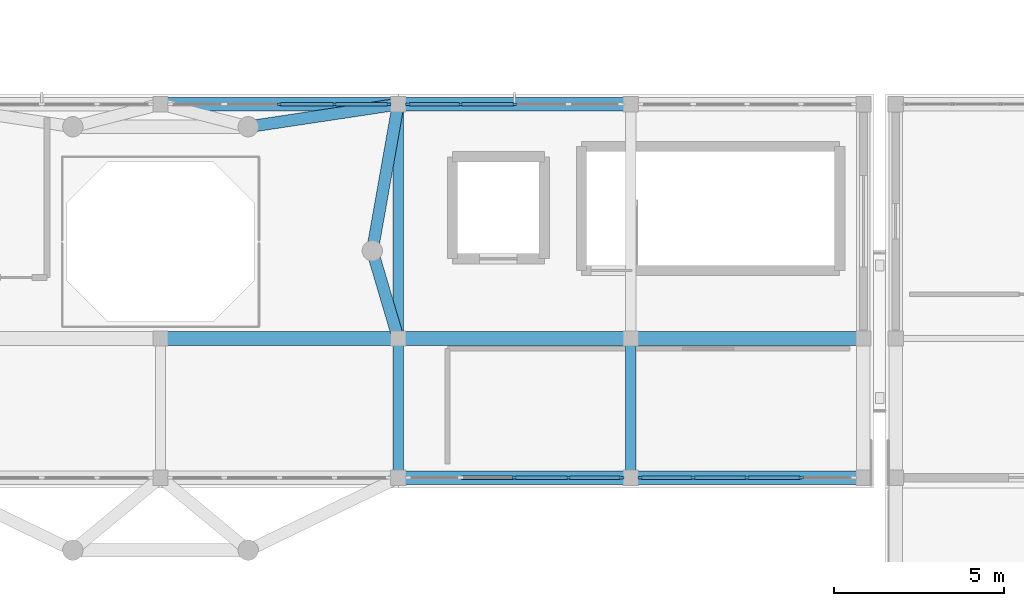
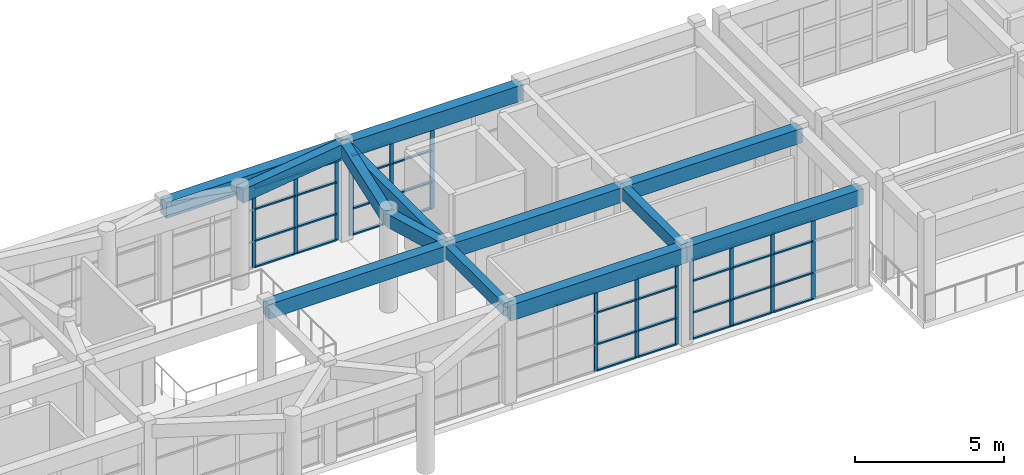
# One storey, part 7 of 66: 50 members, 13 beams, 4 elements without a shape of their own.
"""IFC4 building model written with IfcOpenShell, lengths in metres."""

from ifc_helpers import new_model, si_unit, direction, frame, origin, origin_2d, place, context, subcontext, project, spatial, rectangle, extrude, material, layer, layer_set, material_profile, profile_set, type_object, element, aggregate, save


model = new_model("IFC4")

# Units and contexts
model_context = context("Model", 3, precision=1e-05, world=origin(), true_north=direction((0.0, 1.0)))
body_context = subcontext(model_context, "Body", "Model", "MODEL_VIEW")
ifc_project = project(units=[si_unit("LENGTHUNIT", "METRE"), si_unit("AREAUNIT", "SQUARE_METRE"), si_unit("VOLUMEUNIT", "CUBIC_METRE"), si_unit("PLANEANGLEUNIT", "RADIAN"), si_unit("MASSUNIT", "GRAM", prefix="KILO")], contexts=[model_context])

# Site, building, storey
site_placement = place(None, origin())
site = spatial("IfcSite", under=ifc_project, at=site_placement, CompositionType="ELEMENT")
building_placement = place(site_placement, origin())
building = spatial("IfcBuilding", under=site, at=building_placement, Name="Candilejo Ridge Gondola Terminal", CompositionType="ELEMENT")
storey_placement = place(building_placement, frame((0.0, 0.0, 14.39990234375)))
storey = spatial("IfcBuildingStorey", under=building, at=storey_placement, Name="L03", CompositionType="ELEMENT", Elevation=14.39990234375)

# Curtain wall, members
ifc_material_1 = material(Name="Anodised aluminium AA 6063-T6", Category="aluminium")
ifc_layer_1 = layer(ifc_material_1, 0.169921875)
ifc_layer_set_1 = layer_set([ifc_layer_1], Name="ARC-CW-DRUM-3400-650X329")
curtain_wall_type_1 = type_object("IfcCurtainWallType", Name="ARC-CW-DRUM-3400-650X329", PredefinedType="NOTDEFINED", material=ifc_layer_set_1)
curtain_wall_1_placement = place(storey_placement, origin())
curtain_wall_1 = element("IfcCurtainWall", 1, at=curtain_wall_1_placement, inside=storey, type_object=curtain_wall_type_1, Name="Curtain wall V2 L03-064", PredefinedType="NOTDEFINED")
ifc_material_2 = material(Name="Anodised aluminium AA 6063-T6", Category="aluminium")
ifc_material_profile_1 = material_profile(ifc_material_2, rectangle(XDim=0.06494140625, YDim=0.14990234375, at=origin_2d()))
ifc_profile_set_1 = profile_set([ifc_material_profile_1], Name="Anodised aluminium AA 6063-T6")
member_type_1 = type_object("IfcMemberType", Name="ARC-CW-MULLION-150", PredefinedType="MULLION", material=ifc_profile_set_1)
member_1_placement = place(storey_placement, frame((68.85009765625, 36.699951171875, 0.0), z_axis=(0.0, 0.0, 1.0), x_axis=(0.0, 1.0, 0.0)))
member_1 = element("IfcMember", 2, at=member_1_placement, type_object=member_type_1, Name="CW-65X32 mullion 3", PredefinedType="MULLION", context=body_context, shape_type="SweptSolid", body=[
    extrude(rectangle(XDim=0.06494140625, YDim=0.14990234375, at=origin_2d()), origin(), (0.0, 0.0, 1.0), 3.2900390625),
])
member_2_placement = place(storey_placement, frame((70.47509765625, 36.699951171875, 0.0), z_axis=(0.0, 0.0, 1.0), x_axis=(0.0, 1.0, 0.0)))
member_2 = element("IfcMember", 3, at=member_2_placement, type_object=member_type_1, Name="CW-65X32 mullion 4", PredefinedType="MULLION", context=body_context, shape_type="SweptSolid", body=[
    extrude(rectangle(XDim=0.06494140625, YDim=0.14990234375, at=origin_2d()), origin(), (0.0, 0.0, 1.0), 3.2900390625),
])
member_3_placement = place(storey_placement, frame((72.0673828125, 36.699951171875, 0.0), z_axis=(0.0, 0.0, 1.0), x_axis=(0.0, 1.0, 0.0)))
member_3 = element("IfcMember", 4, at=member_3_placement, type_object=member_type_1, Name="CW-65X32 mullion 5", PredefinedType="MULLION", context=body_context, shape_type="SweptSolid", body=[
    extrude(rectangle(XDim=0.06494140625, YDim=0.14990234375, at=origin_2d()), origin(), (0.0, 0.0, 1.0), 3.2900390625),
])

ifc_material_3 = material(Name="Anodised aluminium AA 6063-T6", Category="aluminium")
ifc_layer_2 = layer(ifc_material_3, 0.169921875)
ifc_layer_set_2 = layer_set([ifc_layer_2], Name="ARC-CW-DRUM-3400-635X329")
curtain_wall_type_2 = type_object("IfcCurtainWallType", Name="ARC-CW-DRUM-3400-635X329", PredefinedType="NOTDEFINED", material=ifc_layer_set_2)
curtain_wall_2_placement = place(storey_placement, origin())
curtain_wall_2 = element("IfcCurtainWall", 5, at=curtain_wall_2_placement, inside=storey, type_object=curtain_wall_type_2, Name="Curtain wall V2 L03-066", PredefinedType="NOTDEFINED")
member_4_placement = place(storey_placement, frame((72.632568359375, 36.699951171875, 0.0), z_axis=(0.0, 0.0, 1.0), x_axis=(0.0, 1.0, 0.0)))
member_4 = element("IfcMember", 6, at=member_4_placement, type_object=member_type_1, Name="CW-63X32 mullion 1", PredefinedType="MULLION", context=body_context, shape_type="SweptSolid", body=[
    extrude(rectangle(XDim=0.06494140625, YDim=0.14990234375, at=origin_2d()), origin(), (0.0, 0.0, 1.0), 3.2900390625),
])
member_5_placement = place(storey_placement, frame((74.1875, 36.699951171875, 0.0), z_axis=(0.0, 0.0, 1.0), x_axis=(0.0, 1.0, 0.0)))
member_5 = element("IfcMember", 7, at=member_5_placement, type_object=member_type_1, Name="CW-63X32 mullion 2", PredefinedType="MULLION", context=body_context, shape_type="SweptSolid", body=[
    extrude(rectangle(XDim=0.06494140625, YDim=0.14990234375, at=origin_2d()), origin(), (0.0, 0.0, 1.0), 3.2900390625),
])
member_6_placement = place(storey_placement, frame((75.77490234375, 36.699951171875, 0.0), z_axis=(0.0, 0.0, 1.0), x_axis=(0.0, 1.0, 0.0)))
member_6 = element("IfcMember", 8, at=member_6_placement, type_object=member_type_1, Name="CW-63X32 mullion 3", PredefinedType="MULLION", context=body_context, shape_type="SweptSolid", body=[
    extrude(rectangle(XDim=0.06494140625, YDim=0.14990234375, at=origin_2d()), origin(), (0.0, 0.0, 1.0), 3.2900390625),
])

curtain_wall_3_placement = place(storey_placement, origin())
curtain_wall_3 = element("IfcCurtainWall", 9, at=curtain_wall_3_placement, inside=storey, type_object=curtain_wall_type_2, Name="Curtain wall V2 L03-067", PredefinedType="NOTDEFINED")
member_7_placement = place(storey_placement, frame((75.77490234375, 25.699951171875, 0.0), z_axis=(0.0, 0.0, 1.0), x_axis=(0.0, 1.0, 0.0)))
member_7 = element("IfcMember", 10, at=member_7_placement, type_object=member_type_1, Name="CW-63X32 mullion 3", PredefinedType="MULLION", context=body_context, shape_type="SweptSolid", body=[
    extrude(rectangle(XDim=0.06494140625, YDim=0.14990234375, at=origin_2d()), origin(), (0.0, 0.0, 1.0), 3.2900390625),
])
member_8_placement = place(storey_placement, frame((77.362548828125, 25.699951171875, 0.0), z_axis=(0.0, 0.0, 1.0), x_axis=(0.0, 1.0, 0.0)))
member_8 = element("IfcMember", 11, at=member_8_placement, type_object=member_type_1, Name="CW-63X32 mullion 4", PredefinedType="MULLION", context=body_context, shape_type="SweptSolid", body=[
    extrude(rectangle(XDim=0.06494140625, YDim=0.14990234375, at=origin_2d()), origin(), (0.0, 0.0, 1.0), 3.2900390625),
])
member_9_placement = place(storey_placement, frame((78.91748046875, 25.699951171875, 0.0), z_axis=(0.0, 0.0, 1.0), x_axis=(0.0, 1.0, 0.0)))
member_9 = element("IfcMember", 12, at=member_9_placement, type_object=member_type_1, Name="CW-63X32 mullion 5", PredefinedType="MULLION", context=body_context, shape_type="SweptSolid", body=[
    extrude(rectangle(XDim=0.06494140625, YDim=0.14990234375, at=origin_2d()), origin(), (0.0, 0.0, 1.0), 3.2900390625),
])

curtain_wall_4_placement = place(storey_placement, origin())
curtain_wall_4 = element("IfcCurtainWall", 13, at=curtain_wall_4_placement, inside=storey, type_object=curtain_wall_type_2, Name="Curtain wall V2 L03-069", PredefinedType="NOTDEFINED")
member_10_placement = place(storey_placement, frame((79.482421875, 25.699951171875, 0.0), z_axis=(0.0, 0.0, 1.0), x_axis=(0.0, 1.0, 0.0)))
member_10 = element("IfcMember", 14, at=member_10_placement, type_object=member_type_1, Name="CW-63X32 mullion 1", PredefinedType="MULLION", context=body_context, shape_type="SweptSolid", body=[
    extrude(rectangle(XDim=0.06494140625, YDim=0.14990234375, at=origin_2d()), origin(), (0.0, 0.0, 1.0), 3.2900390625),
])
member_11_placement = place(storey_placement, frame((81.03759765625, 25.699951171875, 0.0), z_axis=(0.0, 0.0, 1.0), x_axis=(0.0, 1.0, 0.0)))
member_11 = element("IfcMember", 15, at=member_11_placement, type_object=member_type_1, Name="CW-63X32 mullion 2", PredefinedType="MULLION", context=body_context, shape_type="SweptSolid", body=[
    extrude(rectangle(XDim=0.06494140625, YDim=0.14990234375, at=origin_2d()), origin(), (0.0, 0.0, 1.0), 3.2900390625),
])
member_12_placement = place(storey_placement, frame((82.625, 25.699951171875, 0.0), z_axis=(0.0, 0.0, 1.0), x_axis=(0.0, 1.0, 0.0)))
member_12 = element("IfcMember", 16, at=member_12_placement, type_object=member_type_1, Name="CW-63X32 mullion 3", PredefinedType="MULLION", context=body_context, shape_type="SweptSolid", body=[
    extrude(rectangle(XDim=0.06494140625, YDim=0.14990234375, at=origin_2d()), origin(), (0.0, 0.0, 1.0), 3.2900390625),
])
member_13_placement = place(storey_placement, frame((84.21240234375, 25.699951171875, 0.0), z_axis=(0.0, 0.0, 1.0), x_axis=(0.0, 1.0, 0.0)))
member_13 = element("IfcMember", 17, at=member_13_placement, type_object=member_type_1, Name="CW-63X32 mullion 4", PredefinedType="MULLION", context=body_context, shape_type="SweptSolid", body=[
    extrude(rectangle(XDim=0.06494140625, YDim=0.14990234375, at=origin_2d()), origin(), (0.0, 0.0, 1.0), 3.2900390625),
])

# Member
ifc_material_4 = material(Name="Anodised aluminium AA 6063-T6", Category="aluminium")
ifc_material_profile_2 = material_profile(ifc_material_4, rectangle(XDim=0.110107421875, YDim=0.06005859375, at=origin_2d()))
ifc_profile_set_2 = profile_set([ifc_material_profile_2], Name="Anodised aluminium AA 6063-T6")
member_type_2 = type_object("IfcMemberType", Name="ARC-CW-TRANSOM-110", PredefinedType="USERDEFINED", material=ifc_profile_set_2)
member_14_placement = place(storey_placement, frame((68.882568359375, 36.699951171875, 0.030029296875), z_axis=(1.0, 0.0, 0.0), x_axis=(0.0, 1.0, 0.0)))
member_14 = element("IfcMember", 18, at=member_14_placement, type_object=member_type_2, Name="CW-65X32 transom 3.1", ObjectType="TRANSOM", PredefinedType="USERDEFINED", context=body_context, shape_type="SweptSolid", body=[
    extrude(rectangle(XDim=0.110107421875, YDim=0.06005859375, at=origin_2d()), origin(), (0.0, 0.0, 1.0), 1.559814453125),
])

member_15_placement = place(storey_placement, frame((68.882568359375, 36.699951171875, 1.10009765625), z_axis=(1.0, 0.0, 0.0), x_axis=(0.0, 1.0, 0.0)))
member_15 = element("IfcMember", 19, at=member_15_placement, type_object=member_type_2, Name="CW-65X32 transom 3.2", ObjectType="TRANSOM", PredefinedType="USERDEFINED", context=body_context, shape_type="SweptSolid", body=[
    extrude(rectangle(XDim=0.110107421875, YDim=0.06005859375, at=origin_2d()), origin(), (0.0, 0.0, 1.0), 1.559814453125),
])

member_16_placement = place(storey_placement, frame((68.882568359375, 36.699951171875, 2.400146484375), z_axis=(1.0, 0.0, 0.0), x_axis=(0.0, 1.0, 0.0)))
member_16 = element("IfcMember", 20, at=member_16_placement, type_object=member_type_2, Name="CW-65X32 transom 3.3", ObjectType="TRANSOM", PredefinedType="USERDEFINED", context=body_context, shape_type="SweptSolid", body=[
    extrude(rectangle(XDim=0.110107421875, YDim=0.06005859375, at=origin_2d()), origin(), (0.0, 0.0, 1.0), 1.559814453125),
])

member_17_placement = place(storey_placement, frame((68.882568359375, 36.699951171875, 3.260009765625), z_axis=(1.0, 0.0, 0.0), x_axis=(0.0, 1.0, 0.0)))
member_17 = element("IfcMember", 21, at=member_17_placement, type_object=member_type_2, Name="CW-65X32 transom 3.4", ObjectType="TRANSOM", PredefinedType="USERDEFINED", context=body_context, shape_type="SweptSolid", body=[
    extrude(rectangle(XDim=0.110107421875, YDim=0.06005859375, at=origin_2d()), origin(), (0.0, 0.0, 1.0), 1.559814453125),
])

member_18_placement = place(storey_placement, frame((70.507568359375, 36.699951171875, 0.030029296875), z_axis=(1.0, 0.0, 0.0), x_axis=(0.0, 1.0, 0.0)))
member_18 = element("IfcMember", 22, at=member_18_placement, type_object=member_type_2, Name="CW-65X32 transom 4.1", ObjectType="TRANSOM", PredefinedType="USERDEFINED", context=body_context, shape_type="SweptSolid", body=[
    extrude(rectangle(XDim=0.110107421875, YDim=0.06005859375, at=origin_2d()), origin(), (0.0, 0.0, 1.0), 1.52734375),
])

member_19_placement = place(storey_placement, frame((70.507568359375, 36.699951171875, 1.10009765625), z_axis=(1.0, 0.0, 0.0), x_axis=(0.0, 1.0, 0.0)))
member_19 = element("IfcMember", 23, at=member_19_placement, type_object=member_type_2, Name="CW-65X32 transom 4.2", ObjectType="TRANSOM", PredefinedType="USERDEFINED", context=body_context, shape_type="SweptSolid", body=[
    extrude(rectangle(XDim=0.110107421875, YDim=0.06005859375, at=origin_2d()), origin(), (0.0, 0.0, 1.0), 1.52734375),
])

member_20_placement = place(storey_placement, frame((70.507568359375, 36.699951171875, 2.400146484375), z_axis=(1.0, 0.0, 0.0), x_axis=(0.0, 1.0, 0.0)))
member_20 = element("IfcMember", 24, at=member_20_placement, type_object=member_type_2, Name="CW-65X32 transom 4.3", ObjectType="TRANSOM", PredefinedType="USERDEFINED", context=body_context, shape_type="SweptSolid", body=[
    extrude(rectangle(XDim=0.110107421875, YDim=0.06005859375, at=origin_2d()), origin(), (0.0, 0.0, 1.0), 1.52734375),
])

member_21_placement = place(storey_placement, frame((70.507568359375, 36.699951171875, 3.260009765625), z_axis=(1.0, 0.0, 0.0), x_axis=(0.0, 1.0, 0.0)))
member_21 = element("IfcMember", 25, at=member_21_placement, type_object=member_type_2, Name="CW-65X32 transom 4.4", ObjectType="TRANSOM", PredefinedType="USERDEFINED", context=body_context, shape_type="SweptSolid", body=[
    extrude(rectangle(XDim=0.110107421875, YDim=0.06005859375, at=origin_2d()), origin(), (0.0, 0.0, 1.0), 1.52734375),
])

aggregate(curtain_wall_1, [member_1, member_2, member_3, member_14, member_15, member_16, member_17, member_18, member_19, member_20, member_21])

member_22_placement = place(storey_placement, frame((72.6650390625, 36.699951171875, 0.030029296875), z_axis=(1.0, 0.0, 0.0), x_axis=(0.0, 1.0, 0.0)))
member_22 = element("IfcMember", 26, at=member_22_placement, type_object=member_type_2, Name="CW-63X32 transom 1.1", ObjectType="TRANSOM", PredefinedType="USERDEFINED", context=body_context, shape_type="SweptSolid", body=[
    extrude(rectangle(XDim=0.110107421875, YDim=0.06005859375, at=origin_2d()), origin(), (0.0, 0.0, 1.0), 1.489990234375),
])

member_23_placement = place(storey_placement, frame((72.6650390625, 36.699951171875, 1.10009765625), z_axis=(1.0, 0.0, 0.0), x_axis=(0.0, 1.0, 0.0)))
member_23 = element("IfcMember", 27, at=member_23_placement, type_object=member_type_2, Name="CW-63X32 transom 1.2", ObjectType="TRANSOM", PredefinedType="USERDEFINED", context=body_context, shape_type="SweptSolid", body=[
    extrude(rectangle(XDim=0.110107421875, YDim=0.06005859375, at=origin_2d()), origin(), (0.0, 0.0, 1.0), 1.489990234375),
])

member_24_placement = place(storey_placement, frame((72.6650390625, 36.699951171875, 2.400146484375), z_axis=(1.0, 0.0, 0.0), x_axis=(0.0, 1.0, 0.0)))
member_24 = element("IfcMember", 28, at=member_24_placement, type_object=member_type_2, Name="CW-63X32 transom 1.3", ObjectType="TRANSOM", PredefinedType="USERDEFINED", context=body_context, shape_type="SweptSolid", body=[
    extrude(rectangle(XDim=0.110107421875, YDim=0.06005859375, at=origin_2d()), origin(), (0.0, 0.0, 1.0), 1.489990234375),
])

member_25_placement = place(storey_placement, frame((72.6650390625, 36.699951171875, 3.260009765625), z_axis=(1.0, 0.0, 0.0), x_axis=(0.0, 1.0, 0.0)))
member_25 = element("IfcMember", 29, at=member_25_placement, type_object=member_type_2, Name="CW-63X32 transom 1.4", ObjectType="TRANSOM", PredefinedType="USERDEFINED", context=body_context, shape_type="SweptSolid", body=[
    extrude(rectangle(XDim=0.110107421875, YDim=0.06005859375, at=origin_2d()), origin(), (0.0, 0.0, 1.0), 1.489990234375),
])

member_26_placement = place(storey_placement, frame((74.219970703125, 36.699951171875, 0.030029296875), z_axis=(1.0, 0.0, 0.0), x_axis=(0.0, 1.0, 0.0)))
member_26 = element("IfcMember", 30, at=member_26_placement, type_object=member_type_2, Name="CW-63X32 transom 2.1", ObjectType="TRANSOM", PredefinedType="USERDEFINED", context=body_context, shape_type="SweptSolid", body=[
    extrude(rectangle(XDim=0.110107421875, YDim=0.06005859375, at=origin_2d()), origin(), (0.0, 0.0, 1.0), 1.5224609375),
])

member_27_placement = place(storey_placement, frame((74.219970703125, 36.699951171875, 1.10009765625), z_axis=(1.0, 0.0, 0.0), x_axis=(0.0, 1.0, 0.0)))
member_27 = element("IfcMember", 31, at=member_27_placement, type_object=member_type_2, Name="CW-63X32 transom 2.2", ObjectType="TRANSOM", PredefinedType="USERDEFINED", context=body_context, shape_type="SweptSolid", body=[
    extrude(rectangle(XDim=0.110107421875, YDim=0.06005859375, at=origin_2d()), origin(), (0.0, 0.0, 1.0), 1.5224609375),
])

member_28_placement = place(storey_placement, frame((74.219970703125, 36.699951171875, 2.400146484375), z_axis=(1.0, 0.0, 0.0), x_axis=(0.0, 1.0, 0.0)))
member_28 = element("IfcMember", 32, at=member_28_placement, type_object=member_type_2, Name="CW-63X32 transom 2.3", ObjectType="TRANSOM", PredefinedType="USERDEFINED", context=body_context, shape_type="SweptSolid", body=[
    extrude(rectangle(XDim=0.110107421875, YDim=0.06005859375, at=origin_2d()), origin(), (0.0, 0.0, 1.0), 1.5224609375),
])

member_29_placement = place(storey_placement, frame((74.219970703125, 36.699951171875, 3.260009765625), z_axis=(1.0, 0.0, 0.0), x_axis=(0.0, 1.0, 0.0)))
member_29 = element("IfcMember", 33, at=member_29_placement, type_object=member_type_2, Name="CW-63X32 transom 2.4", ObjectType="TRANSOM", PredefinedType="USERDEFINED", context=body_context, shape_type="SweptSolid", body=[
    extrude(rectangle(XDim=0.110107421875, YDim=0.06005859375, at=origin_2d()), origin(), (0.0, 0.0, 1.0), 1.5224609375),
])

aggregate(curtain_wall_2, [member_4, member_5, member_6, member_22, member_23, member_24, member_25, member_26, member_27, member_28, member_29])

member_30_placement = place(storey_placement, frame((74.219970703125, 25.699951171875, 3.260009765625), z_axis=(1.0, 0.0, 0.0), x_axis=(0.0, 1.0, 0.0)))
member_30 = element("IfcMember", 34, at=member_30_placement, type_object=member_type_2, Name="CW-63X32 transom 2.4", ObjectType="TRANSOM", PredefinedType="USERDEFINED", context=body_context, shape_type="SweptSolid", body=[
    extrude(rectangle(XDim=0.110107421875, YDim=0.06005859375, at=origin_2d()), origin(), (0.0, 0.0, 1.0), 1.5224609375),
])

member_31_placement = place(storey_placement, frame((75.8076171875, 25.699951171875, 0.030029296875), z_axis=(1.0, 0.0, 0.0), x_axis=(0.0, 1.0, 0.0)))
member_31 = element("IfcMember", 35, at=member_31_placement, type_object=member_type_2, Name="CW-63X32 transom 3.1", ObjectType="TRANSOM", PredefinedType="USERDEFINED", context=body_context, shape_type="SweptSolid", body=[
    extrude(rectangle(XDim=0.110107421875, YDim=0.06005859375, at=origin_2d()), origin(), (0.0, 0.0, 1.0), 1.5224609375),
])

member_32_placement = place(storey_placement, frame((75.8076171875, 25.699951171875, 1.10009765625), z_axis=(1.0, 0.0, 0.0), x_axis=(0.0, 1.0, 0.0)))
member_32 = element("IfcMember", 36, at=member_32_placement, type_object=member_type_2, Name="CW-63X32 transom 3.2", ObjectType="TRANSOM", PredefinedType="USERDEFINED", context=body_context, shape_type="SweptSolid", body=[
    extrude(rectangle(XDim=0.110107421875, YDim=0.06005859375, at=origin_2d()), origin(), (0.0, 0.0, 1.0), 1.5224609375),
])

member_33_placement = place(storey_placement, frame((75.8076171875, 25.699951171875, 2.400146484375), z_axis=(1.0, 0.0, 0.0), x_axis=(0.0, 1.0, 0.0)))
member_33 = element("IfcMember", 37, at=member_33_placement, type_object=member_type_2, Name="CW-63X32 transom 3.3", ObjectType="TRANSOM", PredefinedType="USERDEFINED", context=body_context, shape_type="SweptSolid", body=[
    extrude(rectangle(XDim=0.110107421875, YDim=0.06005859375, at=origin_2d()), origin(), (0.0, 0.0, 1.0), 1.5224609375),
])

member_34_placement = place(storey_placement, frame((75.8076171875, 25.699951171875, 3.260009765625), z_axis=(1.0, 0.0, 0.0), x_axis=(0.0, 1.0, 0.0)))
member_34 = element("IfcMember", 38, at=member_34_placement, type_object=member_type_2, Name="CW-63X32 transom 3.4", ObjectType="TRANSOM", PredefinedType="USERDEFINED", context=body_context, shape_type="SweptSolid", body=[
    extrude(rectangle(XDim=0.110107421875, YDim=0.06005859375, at=origin_2d()), origin(), (0.0, 0.0, 1.0), 1.5224609375),
])

member_35_placement = place(storey_placement, frame((77.39501953125, 25.699951171875, 0.030029296875), z_axis=(1.0, 0.0, 0.0), x_axis=(0.0, 1.0, 0.0)))
member_35 = element("IfcMember", 39, at=member_35_placement, type_object=member_type_2, Name="CW-63X32 transom 4.1", ObjectType="TRANSOM", PredefinedType="USERDEFINED", context=body_context, shape_type="SweptSolid", body=[
    extrude(rectangle(XDim=0.110107421875, YDim=0.06005859375, at=origin_2d()), origin(), (0.0, 0.0, 1.0), 1.489990234375),
])

member_36_placement = place(storey_placement, frame((77.39501953125, 25.699951171875, 1.10009765625), z_axis=(1.0, 0.0, 0.0), x_axis=(0.0, 1.0, 0.0)))
member_36 = element("IfcMember", 40, at=member_36_placement, type_object=member_type_2, Name="CW-63X32 transom 4.2", ObjectType="TRANSOM", PredefinedType="USERDEFINED", context=body_context, shape_type="SweptSolid", body=[
    extrude(rectangle(XDim=0.110107421875, YDim=0.06005859375, at=origin_2d()), origin(), (0.0, 0.0, 1.0), 1.489990234375),
])

member_37_placement = place(storey_placement, frame((77.39501953125, 25.699951171875, 2.400146484375), z_axis=(1.0, 0.0, 0.0), x_axis=(0.0, 1.0, 0.0)))
member_37 = element("IfcMember", 41, at=member_37_placement, type_object=member_type_2, Name="CW-63X32 transom 4.3", ObjectType="TRANSOM", PredefinedType="USERDEFINED", context=body_context, shape_type="SweptSolid", body=[
    extrude(rectangle(XDim=0.110107421875, YDim=0.06005859375, at=origin_2d()), origin(), (0.0, 0.0, 1.0), 1.489990234375),
])

member_38_placement = place(storey_placement, frame((77.39501953125, 25.699951171875, 3.260009765625), z_axis=(1.0, 0.0, 0.0), x_axis=(0.0, 1.0, 0.0)))
member_38 = element("IfcMember", 42, at=member_38_placement, type_object=member_type_2, Name="CW-63X32 transom 4.4", ObjectType="TRANSOM", PredefinedType="USERDEFINED", context=body_context, shape_type="SweptSolid", body=[
    extrude(rectangle(XDim=0.110107421875, YDim=0.06005859375, at=origin_2d()), origin(), (0.0, 0.0, 1.0), 1.489990234375),
])

aggregate(curtain_wall_3, [member_7, member_8, member_9, member_30, member_31, member_32, member_33, member_34, member_35, member_36, member_37, member_38])

member_39_placement = place(storey_placement, frame((79.514892578125, 25.699951171875, 0.030029296875), z_axis=(1.0, 0.0, 0.0), x_axis=(0.0, 1.0, 0.0)))
member_39 = element("IfcMember", 43, at=member_39_placement, type_object=member_type_2, Name="CW-63X32 transom 1.1", ObjectType="TRANSOM", PredefinedType="USERDEFINED", context=body_context, shape_type="SweptSolid", body=[
    extrude(rectangle(XDim=0.110107421875, YDim=0.06005859375, at=origin_2d()), origin(), (0.0, 0.0, 1.0), 1.489990234375),
])

member_40_placement = place(storey_placement, frame((79.514892578125, 25.699951171875, 1.10009765625), z_axis=(1.0, 0.0, 0.0), x_axis=(0.0, 1.0, 0.0)))
member_40 = element("IfcMember", 44, at=member_40_placement, type_object=member_type_2, Name="CW-63X32 transom 1.2", ObjectType="TRANSOM", PredefinedType="USERDEFINED", context=body_context, shape_type="SweptSolid", body=[
    extrude(rectangle(XDim=0.110107421875, YDim=0.06005859375, at=origin_2d()), origin(), (0.0, 0.0, 1.0), 1.489990234375),
])

member_41_placement = place(storey_placement, frame((79.514892578125, 25.699951171875, 2.400146484375), z_axis=(1.0, 0.0, 0.0), x_axis=(0.0, 1.0, 0.0)))
member_41 = element("IfcMember", 45, at=member_41_placement, type_object=member_type_2, Name="CW-63X32 transom 1.3", ObjectType="TRANSOM", PredefinedType="USERDEFINED", context=body_context, shape_type="SweptSolid", body=[
    extrude(rectangle(XDim=0.110107421875, YDim=0.06005859375, at=origin_2d()), origin(), (0.0, 0.0, 1.0), 1.489990234375),
])

member_42_placement = place(storey_placement, frame((79.514892578125, 25.699951171875, 3.260009765625), z_axis=(1.0, 0.0, 0.0), x_axis=(0.0, 1.0, 0.0)))
member_42 = element("IfcMember", 46, at=member_42_placement, type_object=member_type_2, Name="CW-63X32 transom 1.4", ObjectType="TRANSOM", PredefinedType="USERDEFINED", context=body_context, shape_type="SweptSolid", body=[
    extrude(rectangle(XDim=0.110107421875, YDim=0.06005859375, at=origin_2d()), origin(), (0.0, 0.0, 1.0), 1.489990234375),
])

member_43_placement = place(storey_placement, frame((81.070068359375, 25.699951171875, 0.030029296875), z_axis=(1.0, 0.0, 0.0), x_axis=(0.0, 1.0, 0.0)))
member_43 = element("IfcMember", 47, at=member_43_placement, type_object=member_type_2, Name="CW-63X32 transom 2.1", ObjectType="TRANSOM", PredefinedType="USERDEFINED", context=body_context, shape_type="SweptSolid", body=[
    extrude(rectangle(XDim=0.110107421875, YDim=0.06005859375, at=origin_2d()), origin(), (0.0, 0.0, 1.0), 1.5224609375),
])

member_44_placement = place(storey_placement, frame((81.070068359375, 25.699951171875, 1.10009765625), z_axis=(1.0, 0.0, 0.0), x_axis=(0.0, 1.0, 0.0)))
member_44 = element("IfcMember", 48, at=member_44_placement, type_object=member_type_2, Name="CW-63X32 transom 2.2", ObjectType="TRANSOM", PredefinedType="USERDEFINED", context=body_context, shape_type="SweptSolid", body=[
    extrude(rectangle(XDim=0.110107421875, YDim=0.06005859375, at=origin_2d()), origin(), (0.0, 0.0, 1.0), 1.5224609375),
])

member_45_placement = place(storey_placement, frame((81.070068359375, 25.699951171875, 2.400146484375), z_axis=(1.0, 0.0, 0.0), x_axis=(0.0, 1.0, 0.0)))
member_45 = element("IfcMember", 49, at=member_45_placement, type_object=member_type_2, Name="CW-63X32 transom 2.3", ObjectType="TRANSOM", PredefinedType="USERDEFINED", context=body_context, shape_type="SweptSolid", body=[
    extrude(rectangle(XDim=0.110107421875, YDim=0.06005859375, at=origin_2d()), origin(), (0.0, 0.0, 1.0), 1.5224609375),
])

member_46_placement = place(storey_placement, frame((81.070068359375, 25.699951171875, 3.260009765625), z_axis=(1.0, 0.0, 0.0), x_axis=(0.0, 1.0, 0.0)))
member_46 = element("IfcMember", 50, at=member_46_placement, type_object=member_type_2, Name="CW-63X32 transom 2.4", ObjectType="TRANSOM", PredefinedType="USERDEFINED", context=body_context, shape_type="SweptSolid", body=[
    extrude(rectangle(XDim=0.110107421875, YDim=0.06005859375, at=origin_2d()), origin(), (0.0, 0.0, 1.0), 1.5224609375),
])

member_47_placement = place(storey_placement, frame((82.657470703125, 25.699951171875, 0.030029296875), z_axis=(1.0, 0.0, 0.0), x_axis=(0.0, 1.0, 0.0)))
member_47 = element("IfcMember", 51, at=member_47_placement, type_object=member_type_2, Name="CW-63X32 transom 3.1", ObjectType="TRANSOM", PredefinedType="USERDEFINED", context=body_context, shape_type="SweptSolid", body=[
    extrude(rectangle(XDim=0.110107421875, YDim=0.06005859375, at=origin_2d()), origin(), (0.0, 0.0, 1.0), 1.5224609375),
])

member_48_placement = place(storey_placement, frame((82.657470703125, 25.699951171875, 1.10009765625), z_axis=(1.0, 0.0, 0.0), x_axis=(0.0, 1.0, 0.0)))
member_48 = element("IfcMember", 52, at=member_48_placement, type_object=member_type_2, Name="CW-63X32 transom 3.2", ObjectType="TRANSOM", PredefinedType="USERDEFINED", context=body_context, shape_type="SweptSolid", body=[
    extrude(rectangle(XDim=0.110107421875, YDim=0.06005859375, at=origin_2d()), origin(), (0.0, 0.0, 1.0), 1.5224609375),
])

member_49_placement = place(storey_placement, frame((82.657470703125, 25.699951171875, 2.400146484375), z_axis=(1.0, 0.0, 0.0), x_axis=(0.0, 1.0, 0.0)))
member_49 = element("IfcMember", 53, at=member_49_placement, type_object=member_type_2, Name="CW-63X32 transom 3.3", ObjectType="TRANSOM", PredefinedType="USERDEFINED", context=body_context, shape_type="SweptSolid", body=[
    extrude(rectangle(XDim=0.110107421875, YDim=0.06005859375, at=origin_2d()), origin(), (0.0, 0.0, 1.0), 1.5224609375),
])

member_50_placement = place(storey_placement, frame((82.657470703125, 25.699951171875, 3.260009765625), z_axis=(1.0, 0.0, 0.0), x_axis=(0.0, 1.0, 0.0)))
member_50 = element("IfcMember", 54, at=member_50_placement, type_object=member_type_2, Name="CW-63X32 transom 3.4", ObjectType="TRANSOM", PredefinedType="USERDEFINED", context=body_context, shape_type="SweptSolid", body=[
    extrude(rectangle(XDim=0.110107421875, YDim=0.06005859375, at=origin_2d()), origin(), (0.0, 0.0, 1.0), 1.5224609375),
])

aggregate(curtain_wall_4, [member_10, member_11, member_12, member_13, member_39, member_40, member_41, member_42, member_43, member_44, member_45, member_46, member_47, member_48, member_49, member_50])

# Beams
ifc_material_5 = material(Name="Concrete f'c 35 MPa (C35/45)", Category="concrete")
ifc_material_profile_3 = material_profile(ifc_material_5, rectangle(XDim=0.300048828125, YDim=0.5, at=origin_2d()))
ifc_profile_set_3 = profile_set([ifc_material_profile_3], Name="Concrete f'c 35 MPa (C35/45)")
beam_type_1 = type_object("IfcBeamType", Name="STR-BM-RC300X500", PredefinedType="BEAM", material=ifc_profile_set_3)
beam_1_placement = place(storey_placement, frame((72.35009765625, 25.699951171875, 3.75), z_axis=(0.0, 1.0, 0.0), x_axis=(-1.0, 0.0, 0.0)))
element("IfcBeam", 55, at=beam_1_placement, inside=storey, type_object=beam_type_1, Name="Beam Y V2 L03 Y05-Y06@X11", PredefinedType="BEAM", context=body_context, shape_type="SweptSolid", body=[
    extrude(rectangle(XDim=0.300048828125, YDim=0.5, at=origin_2d()), origin(), (0.0, 0.0, 1.0), 4.10009765625),
])
beam_2_placement = place(storey_placement, frame((72.35009765625, 29.800048828125, 3.75), z_axis=(0.0, 1.0, 0.0), x_axis=(-1.0, 0.0, 0.0)))
element("IfcBeam", 56, at=beam_2_placement, inside=storey, type_object=beam_type_1, Name="Beam Y V2 L03 Y06-Y07@X11", PredefinedType="BEAM", context=body_context, shape_type="SweptSolid", body=[
    extrude(rectangle(XDim=0.300048828125, YDim=0.5, at=origin_2d()), origin(), (0.0, 0.0, 1.0), 6.89990234375),
])
beam_3_placement = place(storey_placement, frame((79.199951171875, 25.699951171875, 3.75), z_axis=(0.0, 1.0, 0.0), x_axis=(-1.0, 0.0, 0.0)))
element("IfcBeam", 57, at=beam_3_placement, inside=storey, type_object=beam_type_1, Name="Beam Y V2 L03 Y05-Y06@X12", PredefinedType="BEAM", context=body_context, shape_type="SweptSolid", body=[
    extrude(rectangle(XDim=0.300048828125, YDim=0.5, at=origin_2d()), origin(), (0.0, 0.0, 1.0), 4.10009765625),
])
ifc_material_6 = material(Name="Concrete f'c 35 MPa (C35/45)", Category="concrete")
ifc_material_profile_4 = material_profile(ifc_material_6, rectangle(XDim=0.35009765625, YDim=0.550048828125, at=origin_2d()))
ifc_profile_set_4 = profile_set([ifc_material_profile_4], Name="Concrete f'c 35 MPa (C35/45)")
beam_type_2 = type_object("IfcBeamType", Name="STR-BM-RC350X550", PredefinedType="BEAM", material=ifc_profile_set_4)
beam_4_placement = place(storey_placement, frame((71.586181640625, 32.383056640625, 3.72509765625), z_axis=(0.283603790168, -0.958941546812, 0.0), x_axis=(0.958941546812, 0.283603790168, 0.0)))
element("IfcBeam", 58, at=beam_4_placement, inside=storey, type_object=beam_type_2, Name="Rotunda radial tie beam L03 ROT1", PredefinedType="BEAM", context=body_context, shape_type="SweptSolid", body=[
    extrude(rectangle(XDim=0.35009765625, YDim=0.550048828125, at=origin_2d()), origin(), (0.0, 0.0, 1.0), 2.693603515625),
])
beam_5_placement = place(storey_placement, frame((71.586181640625, 32.383056640625, 3.72509765625), z_axis=(0.174252320949, 0.984701035159, 0.0), x_axis=(-0.984701035159, 0.174252320949, 0.0)))
element("IfcBeam", 59, at=beam_5_placement, inside=storey, type_object=beam_type_2, Name="Rotunda radial tie beam L03 ROT1", PredefinedType="BEAM", context=body_context, shape_type="SweptSolid", body=[
    extrude(rectangle(XDim=0.35009765625, YDim=0.550048828125, at=origin_2d()), origin(), (0.0, 0.0, 1.0), 4.384033203125),
])
beam_6_placement = place(storey_placement, frame((67.93310546875, 36.0361328125, 3.72509765625), z_axis=(0.98889461777, 0.148618420612, 0.0), x_axis=(-0.148618420612, 0.98889461777, 0.0)))
element("IfcBeam", 60, at=beam_6_placement, inside=storey, type_object=beam_type_2, Name="Rotunda radial tie beam L03 ROT2", PredefinedType="BEAM", context=body_context, shape_type="SweptSolid", body=[
    extrude(rectangle(XDim=0.35009765625, YDim=0.550048828125, at=origin_2d()), origin(), (0.0, 0.0, 1.0), 4.466552734375),
])
ifc_material_7 = material(Name="Concrete f'c 35 MPa (C35/45)", Category="concrete")
ifc_material_profile_5 = material_profile(ifc_material_7, rectangle(XDim=0.39990234375, YDim=0.60009765625, at=origin_2d()))
ifc_profile_set_5 = profile_set([ifc_material_profile_5], Name="Concrete f'c 35 MPa (C35/45)")
beam_type_3 = type_object("IfcBeamType", Name="STR-BM-RC400X600", PredefinedType="BEAM", material=ifc_profile_set_5)
beam_7_placement = place(storey_placement, frame((65.35009765625, 29.800048828125, 3.7001953125), z_axis=(1.0, 0.0, 0.0), x_axis=(0.0, 1.0, 0.0)))
element("IfcBeam", 61, at=beam_7_placement, inside=storey, type_object=beam_type_3, Name="Beam X V2 L03 X10-X11@Y06", PredefinedType="BEAM", context=body_context, shape_type="SweptSolid", body=[
    extrude(rectangle(XDim=0.39990234375, YDim=0.60009765625, at=origin_2d()), origin(), (0.0, 0.0, 1.0), 7.0),
])
beam_8_placement = place(storey_placement, frame((72.35009765625, 29.800048828125, 3.7001953125), z_axis=(1.0, 0.0, 0.0), x_axis=(0.0, 1.0, 0.0)))
element("IfcBeam", 62, at=beam_8_placement, inside=storey, type_object=beam_type_3, Name="Beam X V2 L03 X11-X12@Y06", PredefinedType="BEAM", context=body_context, shape_type="SweptSolid", body=[
    extrude(rectangle(XDim=0.39990234375, YDim=0.60009765625, at=origin_2d()), origin(), (0.0, 0.0, 1.0), 6.849853515625),
])
beam_9_placement = place(storey_placement, frame((79.199951171875, 29.800048828125, 3.7001953125), z_axis=(1.0, 0.0, 0.0), x_axis=(0.0, 1.0, 0.0)))
element("IfcBeam", 63, at=beam_9_placement, inside=storey, type_object=beam_type_3, Name="Beam X V2 L03 X12-X13@Y06", PredefinedType="BEAM", context=body_context, shape_type="SweptSolid", body=[
    extrude(rectangle(XDim=0.39990234375, YDim=0.60009765625, at=origin_2d()), origin(), (0.0, 0.0, 1.0), 6.85009765625),
])
ifc_material_8 = material(Name="Concrete f'c 35 MPa (C35/45)", Category="concrete")
ifc_material_profile_6 = material_profile(ifc_material_8, rectangle(XDim=0.39990234375, YDim=0.64990234375, at=origin_2d()))
ifc_profile_set_6 = profile_set([ifc_material_profile_6], Name="Concrete f'c 35 MPa (C35/45)")
beam_type_4 = type_object("IfcBeamType", Name="STR-SPN-RC400X650", PredefinedType="SPANDREL", material=ifc_profile_set_6)
beam_10_placement = place(storey_placement, frame((72.35009765625, 25.699951171875, 3.675048828125), z_axis=(1.0, 0.0, 0.0), x_axis=(0.0, 1.0, 0.0)))
element("IfcBeam", 64, at=beam_10_placement, inside=storey, type_object=beam_type_4, Name="Beam X V2 L03 X11-X12@Y05", PredefinedType="SPANDREL", context=body_context, shape_type="SweptSolid", body=[
    extrude(rectangle(XDim=0.39990234375, YDim=0.64990234375, at=origin_2d()), origin(), (0.0, 0.0, 1.0), 6.849853515625),
])
beam_11_placement = place(storey_placement, frame((79.199951171875, 25.699951171875, 3.675048828125), z_axis=(1.0, 0.0, 0.0), x_axis=(0.0, 1.0, 0.0)))
element("IfcBeam", 65, at=beam_11_placement, inside=storey, type_object=beam_type_4, Name="Beam X V2 L03 X12-X13@Y05", PredefinedType="SPANDREL", context=body_context, shape_type="SweptSolid", body=[
    extrude(rectangle(XDim=0.39990234375, YDim=0.64990234375, at=origin_2d()), origin(), (0.0, 0.0, 1.0), 6.85009765625),
])
beam_12_placement = place(storey_placement, frame((65.35009765625, 36.699951171875, 3.675048828125), z_axis=(1.0, 0.0, 0.0), x_axis=(0.0, 1.0, 0.0)))
element("IfcBeam", 66, at=beam_12_placement, inside=storey, type_object=beam_type_4, Name="Beam X V2 L03 X10-X11@Y07", PredefinedType="SPANDREL", context=body_context, shape_type="SweptSolid", body=[
    extrude(rectangle(XDim=0.39990234375, YDim=0.64990234375, at=origin_2d()), origin(), (0.0, 0.0, 1.0), 7.0),
])
beam_13_placement = place(storey_placement, frame((72.35009765625, 36.699951171875, 3.675048828125), z_axis=(1.0, 0.0, 0.0), x_axis=(0.0, 1.0, 0.0)))
element("IfcBeam", 67, at=beam_13_placement, inside=storey, type_object=beam_type_4, Name="Beam X V2 L03 X11-X12@Y07", PredefinedType="SPANDREL", context=body_context, shape_type="SweptSolid", body=[
    extrude(rectangle(XDim=0.39990234375, YDim=0.64990234375, at=origin_2d()), origin(), (0.0, 0.0, 1.0), 6.849853515625),
])

save(model, "model.ifc")
